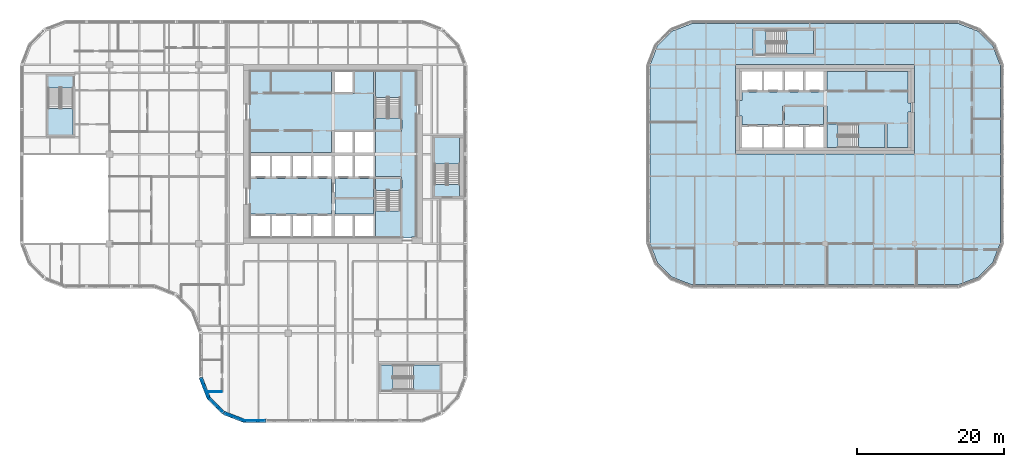
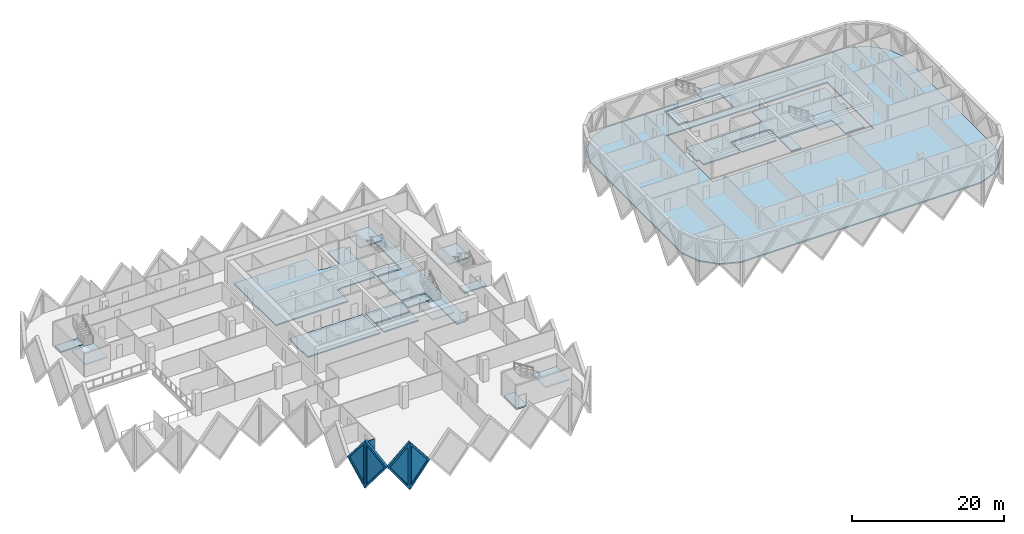
# One storey, part 3 of 21: 22 slabs, 5 walls, 4 plates, 4 openings, 7 elements without a shape of their own.
"""IFC4 building model written with IfcOpenShell, lengths in metres."""

from ifc_helpers import new_model, si_unit, direction, frame, frame_2d, origin, place, context, subcontext, project, spatial, polyline, rectangle, outline, extrude, faceted_brep, source, transform, mapped, material, layer, layer_set, type_object, element, fill, aggregate, save


model = new_model("IFC4")

# Units and contexts
model_context = context("Model", 3, precision=1e-05, world=origin(), true_north=direction((0.0, 1.0)))
body_context = subcontext(model_context, "Body", "Model", "MODEL_VIEW")
ifc_project = project(units=[si_unit("LENGTHUNIT", "METRE"), si_unit("AREAUNIT", "SQUARE_METRE"), si_unit("VOLUMEUNIT", "CUBIC_METRE"), si_unit("PLANEANGLEUNIT", "RADIAN"), si_unit("MASSUNIT", "GRAM", prefix="KILO")], contexts=[model_context])

# Site, building, storey
site_placement = place(None, origin())
site = spatial("IfcSite", under=ifc_project, at=site_placement, CompositionType="ELEMENT")
building_placement = place(site_placement, origin())
building = spatial("IfcBuilding", under=site, at=building_placement, Name="Tessera Gate Towers", CompositionType="ELEMENT")
storey_placement = place(building_placement, frame((0.0, 0.0, 91.39990234375)))
storey = spatial("IfcBuildingStorey", under=building, at=storey_placement, Name="L22", CompositionType="ELEMENT", Elevation=91.39990234375)

# Slabs
ifc_material_1 = material(Name="Concrete C35/45", Category="concrete")
ifc_layer_1 = layer(ifc_material_1, 0.199951171875)
ifc_layer_set_1 = layer_set([ifc_layer_1], Name="COMPOSITE FLOOR 200")
slab_type_1 = type_object("IfcSlabType", Name="COMPOSITE FLOOR 200", PredefinedType="FLOOR", material=ifc_layer_set_1)
slab_1_placement = place(storey_placement, frame((0.0, 0.0, -0.199951171875)))
element("IfcSlab", 1, at=slab_1_placement, inside=storey, type_object=slab_type_1, Name="T2-L22", PredefinedType="FLOOR", context=body_context, shape_type="SweptSolid", body=[
    extrude(outline(polyline([(85.89990234375, 24.4931640625), (86.926025390625, 21.8330078125), (88.93310546875, 19.826171875), (91.593017578125, 18.800048828125), (128.0068359375, 18.800048828125), (130.6669921875, 19.826171875), (132.673828125, 21.8330078125), (133.699951171875, 24.4931640625), (133.699951171875, 48.706787109375), (132.673828125, 51.366943359375), (130.6669921875, 53.373779296875), (128.0068359375, 54.39990234375), (91.593017578125, 54.39990234375), (88.93310546875, 53.373779296875), (86.926025390625, 51.366943359375), (85.89990234375, 48.706787109375), (85.89990234375, 24.4931640625)]), holes=[polyline([(97.60009765625, 36.60009765625), (97.60009765625, 48.800048828125), (122.0, 48.800048828125), (122.0, 36.60009765625), (97.60009765625, 36.60009765625)]), polyline([(100.0, 50.0), (100.0, 53.699951171875), (108.5, 53.699951171875), (108.5, 50.0), (100.0, 50.0)])]), origin(), (0.0, 0.0, 1.0), 0.199951171875),
])
ifc_material_2 = material(Name="Concrete C35/45", Category="concrete")
ifc_layer_2 = layer(ifc_material_2, 0.199951171875)
ifc_layer_set_2 = layer_set([ifc_layer_2], Name="CORE FLOOR SLAB 200")
slab_type_2 = type_object("IfcSlabType", Name="CORE FLOOR SLAB 200", PredefinedType="FLOOR", material=ifc_layer_set_2)
slab_2_placement = place(storey_placement, frame((0.0, 0.0, -0.199951171875)))
element("IfcSlab", 2, at=slab_2_placement, inside=storey, type_object=slab_type_2, Name="L22 core floor slab", PredefinedType="FLOOR", context=body_context, shape_type="SweptSolid", body=[
    extrude(outline(polyline([(31.39990234375, 47.89990234375), (31.39990234375, 43.39990234375), (31.300048828125, 43.39990234375), (31.300048828125, 41.300048828125), (31.39990234375, 41.300048828125), (31.39990234375, 36.85009765625), (42.449951171875, 36.85009765625), (42.449951171875, 39.800048828125), (42.949951171875, 39.800048828125), (42.949951171875, 39.925048828125), (48.22509765625, 39.925048828125), (48.22509765625, 47.89990234375), (45.64990234375, 47.89990234375), (45.64990234375, 44.89990234375), (45.39990234375, 44.89990234375), (45.39990234375, 44.77490234375), (42.949951171875, 44.77490234375), (42.949951171875, 44.89990234375), (42.449951171875, 44.89990234375), (42.449951171875, 47.89990234375), (31.39990234375, 47.89990234375)])), origin(), (0.0, 0.0, 1.0), 0.199951171875),
])
slab_3_placement = place(storey_placement, frame((0.0, 0.0, -0.199951171875)))
element("IfcSlab", 3, at=slab_3_placement, inside=storey, type_object=slab_type_2, Name="L22 core floor slab", PredefinedType="FLOOR", context=body_context, shape_type="SweptSolid", body=[
    extrude(outline(polyline([(52.199951171875, 25.199951171875), (53.39990234375, 25.199951171875), (53.39990234375, 25.300048828125), (54.0, 25.300048828125), (54.0, 36.320068359375), (54.10009765625, 36.320068359375), (54.10009765625, 36.8798828125), (54.0, 36.8798828125), (54.0, 42.10009765625), (54.10009765625, 42.10009765625), (54.10009765625, 43.300048828125), (54.0, 43.300048828125), (54.0, 47.89990234375), (52.125, 47.89990234375), (52.125, 39.925048828125), (52.0, 39.925048828125), (52.0, 39.675048828125), (48.47509765625, 39.675048828125), (48.47509765625, 36.85009765625), (48.35009765625, 36.85009765625), (48.35009765625, 36.35009765625), (48.47509765625, 36.35009765625), (48.47509765625, 33.52490234375), (52.0, 33.52490234375), (52.0, 33.27490234375), (52.125, 33.27490234375), (52.125, 25.300048828125), (52.199951171875, 25.300048828125), (52.199951171875, 25.199951171875)])), origin(), (0.0, 0.0, 1.0), 0.199951171875),
])
slab_4_placement = place(storey_placement, frame((0.0, 0.0, -0.199951171875)))
element("IfcSlab", 4, at=slab_4_placement, inside=storey, type_object=slab_type_2, Name="L22 core floor slab", PredefinedType="FLOOR", context=body_context, shape_type="SweptSolid", body=[
    extrude(outline(polyline([(31.39990234375, 29.800048828125), (31.39990234375, 28.425048828125), (42.449951171875, 28.425048828125), (42.449951171875, 33.27490234375), (31.39990234375, 33.27490234375), (31.39990234375, 31.89990234375), (31.300048828125, 31.89990234375), (31.300048828125, 29.800048828125), (31.39990234375, 29.800048828125)])), origin(), (0.0, 0.0, 1.0), 0.199951171875),
])
slab_5_placement = place(storey_placement, frame((0.0, 0.0, -0.199951171875)))
element("IfcSlab", 5, at=slab_5_placement, inside=storey, type_object=slab_type_2, Name="L22 core floor slab", PredefinedType="FLOOR", context=body_context, shape_type="SweptSolid", body=[
    extrude(outline(polyline([(42.949951171875, 33.27490234375), (42.949951171875, 30.72509765625), (48.22509765625, 30.72509765625), (48.22509765625, 33.27490234375), (42.949951171875, 33.27490234375)])), origin(), (0.0, 0.0, 1.0), 0.199951171875),
])
slab_6_placement = place(storey_placement, frame((0.0, 0.0, -0.199951171875)))
element("IfcSlab", 6, at=slab_6_placement, inside=storey, type_object=slab_type_2, Name="L22 core floor slab", PredefinedType="FLOOR", context=body_context, shape_type="SweptSolid", body=[
    extrude(outline(polyline([(42.949951171875, 30.47509765625), (42.949951171875, 28.425048828125), (48.22509765625, 28.425048828125), (48.22509765625, 30.47509765625), (42.949951171875, 30.47509765625)])), origin(), (0.0, 0.0, 1.0), 0.199951171875),
])
slab_7_placement = place(storey_placement, frame((0.0, 0.0, -0.199951171875)))
element("IfcSlab", 7, at=slab_7_placement, inside=storey, type_object=slab_type_2, Name="L22 core floor slab", PredefinedType="FLOOR", context=body_context, shape_type="SweptSolid", body=[
    extrude(outline(polyline([(51.875, 31.675048828125), (51.875, 33.27490234375), (48.47509765625, 33.27490234375), (48.47509765625, 31.675048828125), (51.875, 31.675048828125)])), origin(), (0.0, 0.0, 1.0), 0.199951171875),
])
slab_8_placement = place(storey_placement, frame((0.0, 0.0, -0.199951171875)))
element("IfcSlab", 8, at=slab_8_placement, inside=storey, type_object=slab_type_2, Name="L22 core floor slab", PredefinedType="FLOOR", context=body_context, shape_type="SweptSolid", body=[
    extrude(outline(polyline([(48.47509765625, 41.52490234375), (48.47509765625, 39.925048828125), (51.875, 39.925048828125), (51.875, 41.52490234375), (48.47509765625, 41.52490234375)])), origin(), (0.0, 0.0, 1.0), 0.199951171875),
])
slab_9_placement = place(storey_placement, frame((0.0, 0.0, -0.199951171875)))
element("IfcSlab", 9, at=slab_9_placement, inside=storey, type_object=slab_type_2, Name="L22 ST3 floor landing", PredefinedType="FLOOR", context=body_context, shape_type="SweptSolid", body=[
    extrude(outline(polyline([(3.85009765625, 47.25), (3.85009765625, 45.64990234375), (7.25, 45.64990234375), (7.25, 47.25), (3.85009765625, 47.25)])), origin(), (0.0, 0.0, 1.0), 0.199951171875),
])
slab_10_placement = place(storey_placement, frame((0.0, 0.0, -0.199951171875)))
element("IfcSlab", 10, at=slab_10_placement, inside=storey, type_object=slab_type_2, Name="L22 ST4 floor landing", PredefinedType="FLOOR", context=body_context, shape_type="SweptSolid", body=[
    extrude(outline(polyline([(49.25, 4.449951171875), (50.85009765625, 4.449951171875), (50.85009765625, 7.85009765625), (49.25, 7.85009765625), (49.25, 4.449951171875)])), origin(), (0.0, 0.0, 1.0), 0.199951171875),
])
slab_11_placement = place(storey_placement, frame((0.0, 0.0, -0.199951171875)))
element("IfcSlab", 11, at=slab_11_placement, inside=storey, type_object=slab_type_2, Name="L22 ST5 floor landing", PredefinedType="FLOOR", context=body_context, shape_type="SweptSolid", body=[
    extrude(outline(polyline([(59.949951171875, 30.85009765625), (59.949951171875, 32.449951171875), (56.550048828125, 32.449951171875), (56.550048828125, 30.85009765625), (59.949951171875, 30.85009765625)])), origin(), (0.0, 0.0, 1.0), 0.199951171875),
])
slab_12_placement = place(storey_placement, frame((0.0, 0.0, -0.199951171875)))
element("IfcSlab", 12, at=slab_12_placement, inside=storey, type_object=slab_type_2, Name="L22 core floor slab", PredefinedType="FLOOR", context=body_context, shape_type="SweptSolid", body=[
    extrude(outline(polyline([(109.550048828125, 45.199951171875), (109.550048828125, 45.074951171875), (98.5, 45.074951171875), (98.5, 43.89990234375), (98.10009765625, 43.89990234375), (98.10009765625, 41.800048828125), (98.5, 41.800048828125), (98.5, 40.625), (104.02490234375, 40.625), (104.02490234375, 43.199951171875), (104.27490234375, 43.199951171875), (104.27490234375, 43.324951171875), (109.550048828125, 43.324951171875), (109.550048828125, 43.199951171875), (110.050048828125, 43.199951171875), (110.050048828125, 40.949951171875), (118.10009765625, 40.949951171875), (118.10009765625, 40.699951171875), (118.22509765625, 40.699951171875), (118.22509765625, 37.5), (121.10009765625, 37.5), (121.10009765625, 42.35009765625), (121.5, 42.35009765625), (121.5, 43.550048828125), (121.10009765625, 43.550048828125), (121.10009765625, 47.89990234375), (110.050048828125, 47.89990234375), (110.050048828125, 45.199951171875), (109.550048828125, 45.199951171875)])), origin(), (0.0, 0.0, 1.0), 0.199951171875),
])
slab_13_placement = place(storey_placement, frame((0.0, 0.0, -0.199951171875)))
element("IfcSlab", 13, at=slab_13_placement, inside=storey, type_object=slab_type_2, Name="L22 core floor slab", PredefinedType="FLOOR", context=body_context, shape_type="SweptSolid", body=[
    extrude(outline(polyline([(109.550048828125, 43.074951171875), (104.27490234375, 43.074951171875), (104.27490234375, 40.625), (109.550048828125, 40.625), (109.550048828125, 43.074951171875)])), origin(), (0.0, 0.0, 1.0), 0.199951171875),
])
slab_14_placement = place(storey_placement, frame((0.0, 0.0, -0.199951171875)))
element("IfcSlab", 14, at=slab_14_placement, inside=storey, type_object=slab_type_2, Name="L22 core floor slab", PredefinedType="FLOOR", context=body_context, shape_type="SweptSolid", body=[
    extrude(outline(polyline([(111.550048828125, 37.5), (111.550048828125, 40.699951171875), (110.050048828125, 40.699951171875), (110.050048828125, 37.5), (111.550048828125, 37.5)])), origin(), (0.0, 0.0, 1.0), 0.199951171875),
])
slab_15_placement = place(storey_placement, frame((0.0, 0.0, -0.199951171875)))
element("IfcSlab", 15, at=slab_15_placement, inside=storey, type_object=slab_type_2, Name="L22 ST7 floor landing", PredefinedType="FLOOR", context=body_context, shape_type="SweptSolid", body=[
    extrude(outline(polyline([(100.25, 50.25), (101.75, 50.25), (101.75, 53.449951171875), (100.25, 53.449951171875), (100.25, 50.25)])), origin(), (0.0, 0.0, 1.0), 0.199951171875),
])

# Stair, slab
ifc_material_3 = material(Name="Concrete C40/50", Category="concrete")
stair_type_1 = type_object("IfcStairType", Name="EXIT STAIR ST1 1600", PredefinedType="HALF_TURN_STAIR", material=ifc_material_3)
stair_1_placement = place(storey_placement, origin())
stair_1 = element("IfcStair", 16, at=stair_1_placement, inside=storey, type_object=stair_type_1, Name="L22 Protected Exit Stair ST1", PredefinedType="HALF_TURN_STAIR")
ifc_material_4 = material(Name="Concrete C40/50", Category="concrete")
ifc_layer_3 = layer(ifc_material_4, 0.199951171875)
ifc_layer_set_3 = layer_set([ifc_layer_3], Name="EXIT STAIR LANDING 200")
slab_type_3 = type_object("IfcSlabType", Name="EXIT STAIR LANDING 200", PredefinedType="LANDING", material=ifc_layer_set_3)
slab_16_placement = place(storey_placement, frame((0.0, 0.0, 1.7001953125)))
slab_16 = element("IfcSlab", 17, at=slab_16_placement, type_object=slab_type_3, Name="ST1 landing 1", PredefinedType="LANDING", context=body_context, shape_type="SweptSolid", body=[
    extrude(outline(polyline([(48.47509765625, 28.875), (48.47509765625, 25.300048828125), (51.875, 25.300048828125), (51.875, 28.875), (48.47509765625, 28.875)])), origin(), (0.0, 0.0, 1.0), 0.199951171875),
])
aggregate(stair_1, [slab_16])

ifc_material_5 = material(Name="Concrete C40/50", Category="concrete")
stair_type_2 = type_object("IfcStairType", Name="EXIT STAIR ST2 1600", PredefinedType="HALF_TURN_STAIR", material=ifc_material_5)
stair_2_placement = place(storey_placement, origin())
stair_2 = element("IfcStair", 18, at=stair_2_placement, inside=storey, type_object=stair_type_2, Name="L22 Protected Exit Stair ST2", PredefinedType="HALF_TURN_STAIR")
slab_17_placement = place(storey_placement, frame((0.0, 0.0, 1.7001953125)))
slab_17 = element("IfcSlab", 19, at=slab_17_placement, type_object=slab_type_3, Name="ST2 landing 1", PredefinedType="LANDING", context=body_context, shape_type="SweptSolid", body=[
    extrude(outline(polyline([(51.875, 44.324951171875), (51.875, 47.89990234375), (48.47509765625, 47.89990234375), (48.47509765625, 44.324951171875), (51.875, 44.324951171875)])), origin(), (0.0, 0.0, 1.0), 0.199951171875),
])
aggregate(stair_2, [slab_17])

ifc_material_6 = material(Name="Concrete C40/50", Category="concrete")
stair_type_3 = type_object("IfcStairType", Name="EXIT STAIR ST3 1600", PredefinedType="HALF_TURN_STAIR", material=ifc_material_6)
stair_3_placement = place(storey_placement, origin())
stair_3 = element("IfcStair", 20, at=stair_3_placement, inside=storey, type_object=stair_type_3, Name="L22 West Exit Stair ST3", PredefinedType="HALF_TURN_STAIR")
slab_18_placement = place(storey_placement, frame((0.0, 0.0, 1.7001953125)))
slab_18 = element("IfcSlab", 21, at=slab_18_placement, type_object=slab_type_3, Name="ST3 landing 1", PredefinedType="LANDING", context=body_context, shape_type="SweptSolid", body=[
    extrude(outline(polyline([(3.85009765625, 42.85009765625), (3.85009765625, 39.25), (7.25, 39.25), (7.25, 42.85009765625), (3.85009765625, 42.85009765625)])), origin(), (0.0, 0.0, 1.0), 0.199951171875),
])
aggregate(stair_3, [slab_18])

ifc_material_7 = material(Name="Concrete C40/50", Category="concrete")
stair_type_4 = type_object("IfcStairType", Name="EXIT STAIR ST4 1600", PredefinedType="HALF_TURN_STAIR", material=ifc_material_7)
stair_4_placement = place(storey_placement, origin())
stair_4 = element("IfcStair", 22, at=stair_4_placement, inside=storey, type_object=stair_type_4, Name="L22 South Exit Stair ST4", PredefinedType="HALF_TURN_STAIR")
slab_19_placement = place(storey_placement, frame((0.0, 0.0, 1.7001953125)))
slab_19 = element("IfcSlab", 23, at=slab_19_placement, type_object=slab_type_3, Name="ST4 landing 1", PredefinedType="LANDING", context=body_context, shape_type="SweptSolid", body=[
    extrude(outline(polyline([(53.64990234375, 4.449951171875), (57.25, 4.449951171875), (57.25, 7.85009765625), (53.64990234375, 7.85009765625), (53.64990234375, 4.449951171875)])), origin(), (0.0, 0.0, 1.0), 0.199951171875),
])
aggregate(stair_4, [slab_19])

ifc_material_8 = material(Name="Concrete C40/50", Category="concrete")
stair_type_5 = type_object("IfcStairType", Name="EXIT STAIR ST5 1600", PredefinedType="HALF_TURN_STAIR", material=ifc_material_8)
stair_5_placement = place(storey_placement, origin())
stair_5 = element("IfcStair", 24, at=stair_5_placement, inside=storey, type_object=stair_type_5, Name="L22 East Exit Stair ST5", PredefinedType="HALF_TURN_STAIR")
slab_20_placement = place(storey_placement, frame((0.0, 0.0, 1.7001953125)))
slab_20 = element("IfcSlab", 25, at=slab_20_placement, type_object=slab_type_3, Name="ST5 landing 1", PredefinedType="LANDING", context=body_context, shape_type="SweptSolid", body=[
    extrude(outline(polyline([(59.949951171875, 35.25), (59.949951171875, 38.85009765625), (56.550048828125, 38.85009765625), (56.550048828125, 35.25), (59.949951171875, 35.25)])), origin(), (0.0, 0.0, 1.0), 0.199951171875),
])
aggregate(stair_5, [slab_20])

ifc_material_9 = material(Name="Concrete C40/50", Category="concrete")
stair_type_6 = type_object("IfcStairType", Name="EXIT STAIR ST6 1500", PredefinedType="HALF_TURN_STAIR", material=ifc_material_9)
stair_6_placement = place(storey_placement, origin())
stair_6 = element("IfcStair", 26, at=stair_6_placement, inside=storey, type_object=stair_type_6, Name="L22 Protected Exit Stair ST6", PredefinedType="HALF_TURN_STAIR")
slab_21_placement = place(storey_placement, frame((0.0, 0.0, 1.7001953125)))
slab_21 = element("IfcSlab", 27, at=slab_21_placement, type_object=slab_type_3, Name="ST6 landing 1", PredefinedType="LANDING", context=body_context, shape_type="SweptSolid", body=[
    extrude(outline(polyline([(114.35009765625, 37.5), (117.97509765625, 37.5), (117.97509765625, 40.699951171875), (114.35009765625, 40.699951171875), (114.35009765625, 37.5)])), origin(), (0.0, 0.0, 1.0), 0.199951171875),
])
aggregate(stair_6, [slab_21])

ifc_material_10 = material(Name="Concrete C40/50", Category="concrete")
stair_type_7 = type_object("IfcStairType", Name="EXIT STAIR ST7 1500", PredefinedType="HALF_TURN_STAIR", material=ifc_material_10)
stair_7_placement = place(storey_placement, origin())
stair_7 = element("IfcStair", 28, at=stair_7_placement, inside=storey, type_object=stair_type_7, Name="L22 North Exit Stair ST7", PredefinedType="HALF_TURN_STAIR")
slab_22_placement = place(storey_placement, frame((0.0, 0.0, 1.7001953125)))
slab_22 = element("IfcSlab", 29, at=slab_22_placement, type_object=slab_type_3, Name="ST7 landing 1", PredefinedType="LANDING", context=body_context, shape_type="SweptSolid", body=[
    extrude(outline(polyline([(104.550048828125, 50.25), (108.25, 50.25), (108.25, 53.449951171875), (104.550048828125, 53.449951171875), (104.550048828125, 50.25)])), origin(), (0.0, 0.0, 1.0), 0.199951171875),
])
aggregate(stair_7, [slab_22])

# Wall
ifc_material_11 = material(Name="Glass", Category="glass")
ifc_layer_4 = layer(ifc_material_11, 0.10009765625)
ifc_layer_set_4 = layer_set([ifc_layer_4], Name="GLAZED PARTITION 100")
wall_type_1 = type_object("IfcWallType", Name="GLAZED PARTITION 100", PredefinedType="PARTITIONING", material=ifc_layer_set_4)
wall_1_placement = place(storey_placement, frame((25.668701171875, 4.199951171875, 0.0), z_axis=(0.0, 0.0, 1.0), x_axis=(1.0, 0.0, 0.0)))
element("IfcWall", 30, at=wall_1_placement, inside=storey, type_object=wall_type_1, Name="T1-L22-PW-003", PredefinedType="PARTITIONING", context=body_context, shape_type="SweptSolid", body=[
    extrude(rectangle(XDim=1.855224609375, YDim=0.10009765625, at=frame_2d((0.927734375, 0.0))), origin(), (0.0, 0.0, 1.0), 2.89501953125),
])

# Wall, opening, plate
ifc_material_12 = material(Name="Precast concrete C60/75 white", Category="concrete")
ifc_layer_5 = layer(ifc_material_12, 0.5)
ifc_layer_set_5 = layer_set([ifc_layer_5], Name="TS3 corner tessera")
wall_type_2 = type_object("IfcWallType", Name="TS3 corner tessera", PredefinedType="SOLIDWALL", material=ifc_layer_set_5)
shared_shape_1 = source(origin(), body_context, "Body", "Brep", [
    faceted_brep([(0.046630859375, -0.25, 0.0), (3.050048828125, -0.25, 3.7998046875), (0.046630859375, -0.25, 7.599853515625), (0.0, -0.25, 7.539794921875), (0.0, -0.25, 0.06005859375), (0.09326171875, 0.25, 7.541015625), (3.050048828125, 0.25, 3.7998046875), (0.09326171875, 0.25, 0.058837890625), (0.046630859375, 0.0, 0.0), (0.046630859375, 0.0, 7.599853515625)], [[[0, 1, 2, 3, 4]], [[5, 6, 7]], [[7, 6, 1, 0, 8]], [[6, 5, 9, 2, 1]], [[3, 2, 9]], [[8, 0, 4]], [[7, 8, 4, 3, 9, 5]]]),
])
wall_2_placement = place(storey_placement, frame((30.5, 0.25, -3.7998046875), z_axis=(0.0, 0.0, 1.0), x_axis=(1.0, 0.0, 0.0)))
wall_2 = element("IfcWall", 31, at=wall_2_placement, inside=storey, type_object=wall_type_2, Name="Precast corner tessera T1 TS3-0481", PredefinedType="SOLIDWALL", context=body_context, shape_type="MappedRepresentation", body=[
    mapped(shared_shape_1, transform((0.0, 0.0, 0.0), scale=1.0)),
])
shared_shape_2 = source(origin(), body_context, "Body", "SweptSolid", [
    extrude(outline(polyline([(0.24658203125, 0.656005859375), (2.7314453125, 3.7998046875), (0.24658203125, 6.943603515625), (0.24658203125, 0.656005859375)])), frame((0.0, 0.260009765625, 0.0), z_axis=(0.0, -1.0, 0.0), x_axis=(1.0, 0.0, 0.0)), (0.0, 0.0, 1.0), 0.52001953125),
])
opening_1_placement = place(wall_2_placement, origin())
opening_1 = element("IfcOpeningElement", 32, at=opening_1_placement, cuts=wall_2, Name="Opening T1-PL2-0705", PredefinedType="OPENING", context=body_context, shape_type="MappedRepresentation", body=[
    mapped(shared_shape_2, transform((0.0, 0.0, 0.0), scale=1.0)),
])
ifc_material_13 = material(Name="Low-e laminated glass", Category="glass")
ifc_layer_6 = layer(ifc_material_13, 0.06005859375)
ifc_layer_set_6 = layer_set([ifc_layer_6], Name="PL2 rhombic pane")
plate_type = type_object("IfcPlateType", Name="PL2 rhombic pane", PredefinedType="SHEET", material=ifc_layer_set_6)
shared_shape_3 = source(origin(), body_context, "Body", "SweptSolid", [
    extrude(outline(polyline([(0.24658203125, 0.656005859375), (2.7314453125, 3.7998046875), (0.24658203125, 6.943603515625), (0.24658203125, 0.656005859375)])), frame((0.0, 0.030029296875, 0.0), z_axis=(0.0, -1.0, 0.0), x_axis=(1.0, 0.0, 0.0)), (0.0, 0.0, 1.0), 0.06005859375),
])
plate_1_placement = place(opening_1_placement, origin())
plate_1 = element("IfcPlate", 33, at=plate_1_placement, inside=storey, type_object=plate_type, Name="Glass pane T1 PL2-0705", PredefinedType="SHEET", context=body_context, shape_type="MappedRepresentation", body=[
    mapped(shared_shape_3, transform((0.0, 0.0, 0.0), scale=1.0)),
])
fill(opening_1, plate_1)

shared_shape_4 = source(origin(), body_context, "Body", "Brep", [
    faceted_brep([(2.950439453125, -0.25, 0.0), (2.9970703125, -0.25, 0.05908203125), (2.9970703125, -0.25, 7.540771484375), (2.950439453125, -0.25, 7.599853515625), (0.0, -0.25, 3.7998046875), (0.052978515625, 0.25, 3.867919921875), (2.904052734375, 0.25, 7.5400390625), (2.904052734375, 0.25, 0.059814453125), (0.052978515625, 0.25, 3.731689453125), (2.950439453125, 0.00048828125, 0.0), (2.950439453125, 0.00048828125, 7.599853515625), (0.0, 0.0, 3.7998046875)], [[[0, 1, 2, 3, 4]], [[5, 6, 7, 8]], [[1, 0, 9]], [[10, 3, 2]], [[6, 5, 11, 4, 3, 10]], [[8, 7, 9, 0, 4, 11]], [[8, 11, 5]], [[1, 9, 7, 6, 10, 2]]]),
])
wall_3_placement = place(storey_placement, frame((27.793701171875, 1.31201171875, -3.7998046875), z_axis=(0.0, 0.0, 1.0), x_axis=(0.932973525033, -0.359944998003, 0.0)))
wall_3 = element("IfcWall", 34, at=wall_3_placement, inside=storey, type_object=wall_type_2, Name="Precast corner tessera T1 TS3-0482", PredefinedType="SOLIDWALL", context=body_context, shape_type="MappedRepresentation", body=[
    mapped(shared_shape_4, transform((0.0, 0.0, 0.0), scale=1.0)),
])
shared_shape_5 = source(origin(), body_context, "Body", "SweptSolid", [
    extrude(outline(polyline([(2.75048828125, 6.9345703125), (0.31640625, 3.7998046875), (2.75048828125, 0.6650390625), (2.75048828125, 6.9345703125)])), frame((0.0, 0.260009765625, 0.0), z_axis=(0.0, -1.0, 0.0), x_axis=(1.0, 0.0, 0.0)), (0.0, 0.0, 1.0), 0.52001953125),
])
opening_2_placement = place(wall_3_placement, origin())
opening_2 = element("IfcOpeningElement", 35, at=opening_2_placement, cuts=wall_3, Name="Opening T1-PL2-0706", PredefinedType="OPENING", context=body_context, shape_type="MappedRepresentation", body=[
    mapped(shared_shape_5, transform((0.0, 0.0, 0.0), scale=1.0)),
])
shared_shape_6 = source(origin(), body_context, "Body", "SweptSolid", [
    extrude(outline(polyline([(2.75048828125, 6.9345703125), (0.31640625, 3.7998046875), (2.75048828125, 0.6650390625), (2.75048828125, 6.9345703125)])), frame((0.0, 0.030029296875, 0.0), z_axis=(0.0, -1.0, 0.0), x_axis=(1.0, 0.0, 0.0)), (0.0, 0.0, 1.0), 0.06005859375),
])
plate_2_placement = place(opening_2_placement, origin())
plate_2 = element("IfcPlate", 36, at=plate_2_placement, inside=storey, type_object=plate_type, Name="Glass pane T1 PL2-0706", PredefinedType="SHEET", context=body_context, shape_type="MappedRepresentation", body=[
    mapped(shared_shape_6, transform((0.0, 0.0, 0.0), scale=1.0)),
])
fill(opening_2, plate_2)

shared_shape_7 = source(origin(), body_context, "Body", "Brep", [
    faceted_brep([(2.950439453125, -0.25, 0.0), (3.00341796875, -0.25, 0.068359375), (3.00341796875, -0.25, 7.531494140625), (2.950439453125, -0.25, 7.599853515625), (0.0, -0.25, 3.7998046875), (0.046630859375, 0.25, 3.85986328125), (2.897705078125, 0.25, 7.53173828125), (2.897705078125, 0.25, 0.068115234375), (0.046630859375, 0.25, 3.73974609375), (2.950439453125, 0.00048828125, 0.0), (2.950439453125, 0.00048828125, 7.599853515625), (0.0, 0.0, 3.7998046875)], [[[0, 1, 2, 3, 4]], [[5, 6, 7, 8]], [[1, 0, 9]], [[10, 3, 2]], [[6, 5, 11, 4, 3, 10]], [[8, 7, 9, 0, 4, 11]], [[8, 11, 5]], [[1, 9, 7, 6, 10, 2]]]),
])
wall_4_placement = place(storey_placement, frame((24.64990234375, 6.146484375, -3.7998046875), z_axis=(0.0, 0.0, 1.0), x_axis=(0.359953949349, -0.932970071518, 0.0)))
wall_4 = element("IfcWall", 37, at=wall_4_placement, inside=storey, type_object=wall_type_2, Name="Precast corner tessera T1 TS3-0503", PredefinedType="SOLIDWALL", context=body_context, shape_type="MappedRepresentation", body=[
    mapped(shared_shape_7, transform((0.0, 0.0, 0.0), scale=1.0)),
])
opening_3_placement = place(wall_4_placement, origin())
opening_3 = element("IfcOpeningElement", 38, at=opening_3_placement, cuts=wall_4, Name="Opening T1-PL2-0750", PredefinedType="OPENING", context=body_context, shape_type="MappedRepresentation", body=[
    mapped(shared_shape_5, transform((0.0, 0.0, 0.0), scale=1.0)),
])
plate_3_placement = place(opening_3_placement, origin())
plate_3 = element("IfcPlate", 39, at=plate_3_placement, inside=storey, type_object=plate_type, Name="Glass pane T1 PL2-0750", PredefinedType="SHEET", context=body_context, shape_type="MappedRepresentation", body=[
    mapped(shared_shape_6, transform((0.0, 0.0, 0.0), scale=1.0)),
])
fill(opening_3, plate_3)

shared_shape_8 = source(origin(), body_context, "Body", "Brep", [
    faceted_brep([(0.052978515625, -0.25, 0.0), (2.9970703125, -0.25, 3.7998046875), (0.052978515625, -0.25, 7.599853515625), (0.0, -0.25, 7.53173828125), (0.0, -0.25, 0.068115234375), (0.10595703125, 0.25, 7.531494140625), (2.944091796875, 0.25, 3.867919921875), (2.944091796875, 0.25, 3.731689453125), (0.10595703125, 0.25, 0.068359375), (2.9970703125, 0.000244140625, 3.7998046875), (0.052978515625, 0.0, 0.0), (0.052978515625, 0.0, 7.599853515625)], [[[0, 1, 2, 3, 4]], [[5, 6, 7, 8]], [[8, 7, 9, 1, 0, 10]], [[6, 5, 11, 2, 1, 9]], [[3, 2, 11]], [[10, 0, 4]], [[8, 10, 4, 3, 11, 5]], [[9, 7, 6]]]),
])
wall_5_placement = place(storey_placement, frame((25.674560546875, 3.43115234375, -3.7998046875), z_axis=(0.0, 0.0, 1.0), x_axis=(0.707106781187, -0.707106781187, 0.0)))
wall_5 = element("IfcWall", 40, at=wall_5_placement, inside=storey, type_object=wall_type_2, Name="Precast corner tessera T1 TS3-0504", PredefinedType="SOLIDWALL", context=body_context, shape_type="MappedRepresentation", body=[
    mapped(shared_shape_8, transform((0.0, 0.0, 0.0), scale=1.0)),
])
shared_shape_9 = source(origin(), body_context, "Body", "SweptSolid", [
    extrude(outline(polyline([(0.2529296875, 0.666259765625), (2.680908203125, 3.7998046875), (0.2529296875, 6.93359375), (0.2529296875, 0.666259765625)])), frame((0.0, 0.260009765625, 0.0), z_axis=(0.0, -1.0, 0.0), x_axis=(1.0, 0.0, 0.0)), (0.0, 0.0, 1.0), 0.52001953125),
])
opening_4_placement = place(wall_5_placement, origin())
opening_4 = element("IfcOpeningElement", 41, at=opening_4_placement, cuts=wall_5, Name="Opening T1-PL2-0751", PredefinedType="OPENING", context=body_context, shape_type="MappedRepresentation", body=[
    mapped(shared_shape_9, transform((0.0, 0.0, 0.0), scale=1.0)),
])
shared_shape_10 = source(origin(), body_context, "Body", "SweptSolid", [
    extrude(outline(polyline([(0.2529296875, 0.666259765625), (2.680908203125, 3.7998046875), (0.2529296875, 6.93359375), (0.2529296875, 0.666259765625)])), frame((0.0, 0.030029296875, 0.0), z_axis=(0.0, -1.0, 0.0), x_axis=(1.0, 0.0, 0.0)), (0.0, 0.0, 1.0), 0.06005859375),
])
plate_4_placement = place(opening_4_placement, origin())
plate_4 = element("IfcPlate", 42, at=plate_4_placement, inside=storey, type_object=plate_type, Name="Glass pane T1 PL2-0751", PredefinedType="SHEET", context=body_context, shape_type="MappedRepresentation", body=[
    mapped(shared_shape_10, transform((0.0, 0.0, 0.0), scale=1.0)),
])
fill(opening_4, plate_4)

save(model, "model.ifc")
